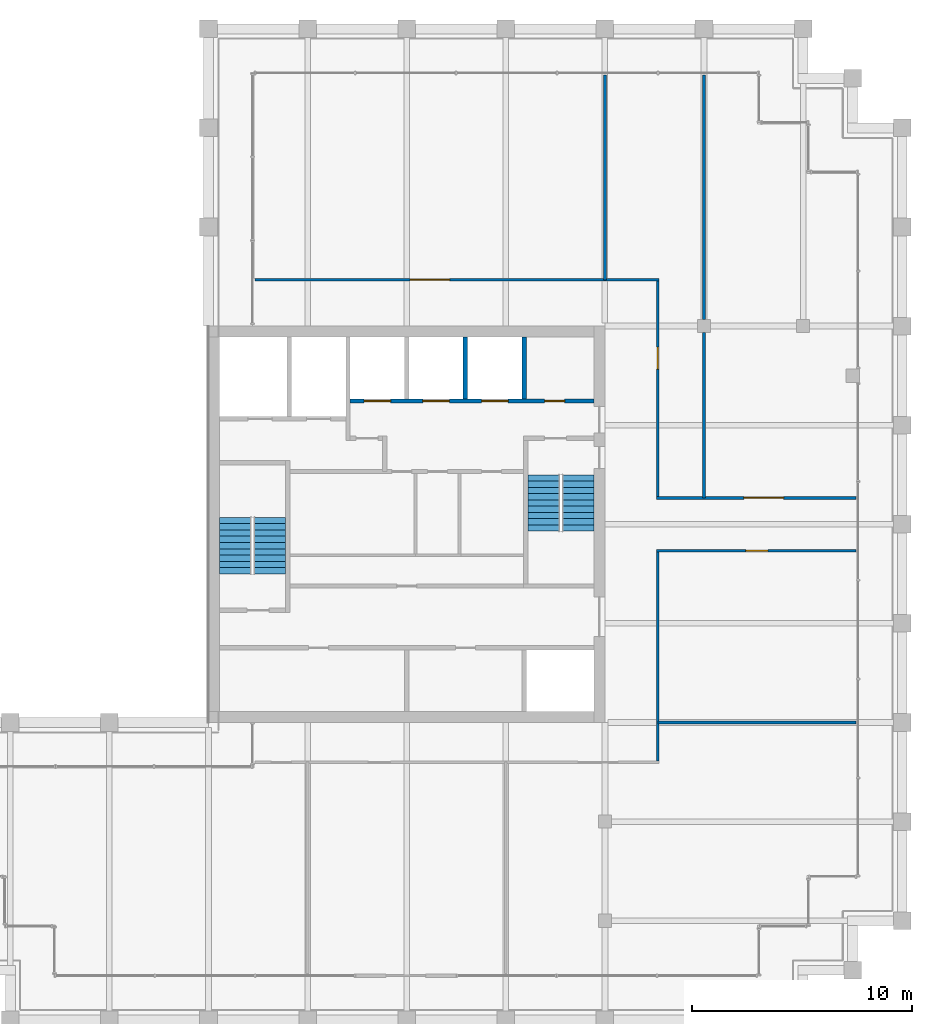
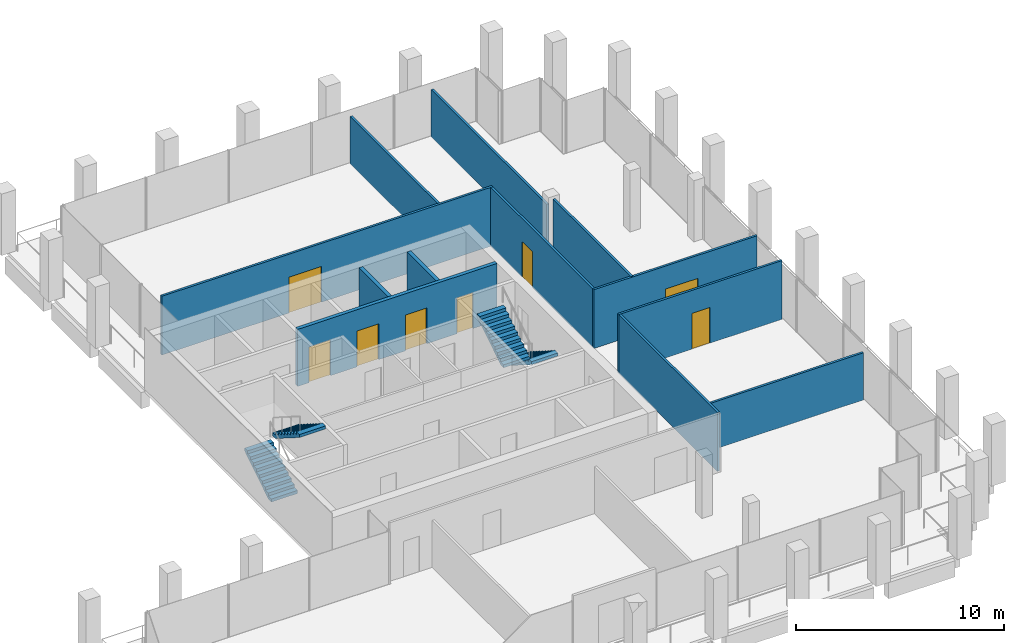
# One storey, part 29 of 30: 12 walls, 8 doors, 4 stair flights, 8 openings, 2 elements without a shape of their own.
"""IFC4 building model written with IfcOpenShell, lengths in metres."""

import ifcopenshell
import ifcopenshell.guid

model = None  # the IFC model being written
_history = None  # IfcOwnerHistory: only IFC2X3 demands one
_inside = {}  # id of a spatial element -> (the spatial element, [elements in it])
_under = {}  # id of a project, library or spatial element -> (it, [spatial elements below it])
_declared = {}  # id of a project -> (the project, [libraries it declares])
_typed = {}  # id of a type object -> (the type object, [elements of that type])
_made_of = {}  # id of a material, layer set ... -> (it, [elements and type objects made of it])


def new_model(schema):
    """Start an empty IFC model of exactly this schema.

    Asked for "IFC4X3", IfcOpenShell would pick the latest addendum, in which some entities
    have other attributes; the version numbers below select the first issue.
    IFC2X3 requires an IfcOwnerHistory on every rooted entity: one is made here for all.
    """
    global model, _history
    if schema == "IFC4X3":
        model = ifcopenshell.file(schema_version=(4, 3, 0, 0))
    else:
        model = ifcopenshell.file(schema=schema)
    _inside.clear()
    _under.clear()
    _declared.clear()
    _typed.clear()
    _made_of.clear()
    _history = None
    if model.schema == "IFC2X3":
        org = make("IfcOrganization", Name="unknown")
        user = make(
            "IfcPersonAndOrganization",
            ThePerson=make("IfcPerson", FamilyName="unknown"),
            TheOrganization=org,
        )
        app = make(
            "IfcApplication",
            ApplicationDeveloper=org,
            Version="unknown",
            ApplicationFullName="unknown",
            ApplicationIdentifier="unknown",
        )
        _history = make(
            "IfcOwnerHistory",
            OwningUser=user,
            OwningApplication=app,
            ChangeAction="ADDED",
            CreationDate=0,
        )
    return model


def make(cls, **values):
    """One entity of the class cls with the attributes given. An attribute that is None is left unset."""
    return model.create_entity(
        cls, **{name: value for name, value in values.items() if value is not None}
    )


def rooted(cls, **values):
    """An entity with a GlobalId (a new one), such as an element, a storey or a relation."""
    return make(cls, GlobalId=ifcopenshell.guid.new(), OwnerHistory=_history, **values)


def si_unit(unit_type, name, prefix=None):
    """IfcSIUnit, for example si_unit("LENGTHUNIT", "METRE", prefix="MILLI")."""
    return make("IfcSIUnit", UnitType=unit_type, Prefix=prefix, Name=name)


def assignment(units):
    """IfcUnitAssignment: the units of a project."""
    return None if units is None else make("IfcUnitAssignment", Units=units)


def point(xyz):
    """IfcCartesianPoint."""
    return None if xyz is None else make("IfcCartesianPoint", Coordinates=xyz)


def direction(xyz):
    """IfcDirection."""
    return None if xyz is None else make("IfcDirection", DirectionRatios=xyz)


def frame(location, z_axis=None, x_axis=None):
    """IfcAxis2Placement3D, a coordinate frame: its origin and axes. An axis left out is left unset."""
    return make(
        "IfcAxis2Placement3D",
        Location=point(location),
        Axis=direction(z_axis),
        RefDirection=direction(x_axis),
    )


def frame_2d(location, x_axis=None):
    """IfcAxis2Placement2D, a coordinate frame in the plane: its origin and x axis."""
    return make(
        "IfcAxis2Placement2D", Location=point(location), RefDirection=direction(x_axis)
    )


def origin():
    """The frame at (0, 0, 0) with its axes left unset."""
    return frame((0.0, 0.0, 0.0))


def place(relative_to, where):
    """IfcLocalPlacement: puts the frame where relative to a parent placement (None: the world)."""
    return make(
        "IfcLocalPlacement", PlacementRelTo=relative_to, RelativePlacement=where
    )


def context(
    kind, dimensions, precision=None, world=None, true_north=None, identifier=None
):
    """IfcGeometricRepresentationContext, for example the 3D "Model" context."""
    return make(
        "IfcGeometricRepresentationContext",
        ContextIdentifier=identifier,
        ContextType=kind,
        CoordinateSpaceDimension=dimensions,
        Precision=precision,
        WorldCoordinateSystem=world,
        TrueNorth=true_north,
    )


def subcontext(parent, identifier, kind, view, scale=None):
    """IfcGeometricRepresentationSubContext, for example "Body" below "Model"."""
    return make(
        "IfcGeometricRepresentationSubContext",
        ContextIdentifier=identifier,
        ContextType=kind,
        ParentContext=parent,
        TargetScale=scale,
        TargetView=view,
    )


def project(units=None, contexts=None):
    """IfcProject with its units and contexts."""
    return rooted(
        "IfcProject",
        Name="project",
        RepresentationContexts=contexts,
        UnitsInContext=assignment(units),
    )


def spatial(cls, under=None, at=None, **own):
    """A site, building, storey or space (cls), placed at a placement, below another one or the project."""
    s = rooted(cls, ObjectPlacement=at, **own)
    if under is not None:
        _under.setdefault(under.id(), (under, []))[1].append(s)
    return s


def polyline(points):
    """IfcPolyline through the points."""
    return make("IfcPolyline", Points=[point(p) for p in points])


def profile(cls, at=None, kind="AREA", **sizes):
    """A parametric profile (cls). Its sizes go by their IFC names, for example OverallWidth=200.0."""
    return make(cls, ProfileType=kind, Position=at, **sizes)


def rectangle(**sizes):
    """IfcRectangleProfileDef."""
    return profile("IfcRectangleProfileDef", **sizes)


def outline(outer, holes=None, kind="AREA"):
    """IfcArbitraryClosedProfileDef: a profile drawn as a closed curve; with holes, ...WithVoids."""
    if holes is None:
        return make("IfcArbitraryClosedProfileDef", ProfileType=kind, OuterCurve=outer)
    return make(
        "IfcArbitraryProfileDefWithVoids",
        ProfileType=kind,
        OuterCurve=outer,
        InnerCurves=holes,
    )


def extrude(swept, where, along, depth):
    """IfcExtrudedAreaSolid: the profile swept, set in the frame where, extruded along a direction by depth."""
    return make(
        "IfcExtrudedAreaSolid",
        SweptArea=swept,
        Position=where,
        ExtrudedDirection=direction(along),
        Depth=depth,
    )


def shape(context_of_items, identifier, shape_type, items):
    """IfcShapeRepresentation: the items that make up one representation, for example the "Body"."""
    return make(
        "IfcShapeRepresentation",
        ContextOfItems=context_of_items,
        RepresentationIdentifier=identifier,
        RepresentationType=shape_type,
        Items=items,
    )


def material(Name=None, Category=None):
    """IfcMaterial."""
    return make("IfcMaterial", Name=Name, Category=Category)


def layer(
    of_material, thickness, ventilated=None, Name=None, Category=None, Priority=None
):
    """IfcMaterialLayer: one layer of a wall or slab, of a material (None: an air gap)."""
    return make(
        "IfcMaterialLayer",
        Material=of_material,
        LayerThickness=thickness,
        IsVentilated=ventilated,
        Name=Name,
        Category=Category,
        Priority=Priority,
    )


def layer_set(layers, Name=None):
    """IfcMaterialLayerSet."""
    return make("IfcMaterialLayerSet", MaterialLayers=layers, LayerSetName=Name)


def made_of(thing, what):
    """Note that an element or type object is made of a material, layer set ...; save() writes the relation."""
    if what is not None:
        _made_of.setdefault(what.id(), (what, []))[1].append(thing)
    return thing


def type_object(cls, material=None, **own):
    """A type object (cls), such as IfcWallType, which elements share."""
    return made_of(rooted(cls, **own), material)


def element(
    cls,
    number,
    at=None,
    inside=None,
    cuts=None,
    type_object=None,
    material=None,
    context=None,
    identifier="Body",
    shape_type=None,
    held_by="IfcProductDefinitionShape",
    body=None,
    shapes=None,
    **own,
):
    """One element of the class cls, such as IfcWall. Its Tag is "e" and its number.

    at: its placement. inside: the storey or other place that contains it. cuts: it is an
    opening in that element (IfcRelVoidsElement). A single representation is given by context,
    identifier, shape_type and body (its items); several are given by shapes. held_by: the class
    of the entity that holds the representations. save() writes the other relations.
    """
    e = rooted(cls, Tag="e%d" % number, ObjectPlacement=at, **own)
    if body is not None:
        shapes = [shape(context, identifier, shape_type, body)]
    if shapes is not None:
        e.Representation = make(held_by, Representations=shapes)
    if inside is not None:
        _inside.setdefault(inside.id(), (inside, []))[1].append(e)
    if cuts is not None:
        rooted(
            "IfcRelVoidsElement", RelatingBuildingElement=cuts, RelatedOpeningElement=e
        )
    if type_object is not None:
        _typed.setdefault(type_object.id(), (type_object, []))[1].append(e)
    return made_of(e, material)


def fill(opening, filler):
    """IfcRelFillsElement: the door or window that sits in an opening."""
    return rooted(
        "IfcRelFillsElement",
        RelatingOpeningElement=opening,
        RelatedBuildingElement=filler,
    )


def aggregate(whole, parts):
    """IfcRelAggregates: a whole, such as a stair, and the parts it consists of."""
    return rooted("IfcRelAggregates", RelatingObject=whole, RelatedObjects=parts)


def save(model, path):
    """Write the relations noted so far, then the file.

    IfcRelAggregates (storeys below a building ...), IfcRelContainedInSpatialStructure (elements
    in a storey), IfcRelDefinesByType, IfcRelAssociatesMaterial and IfcRelDeclares: one each for
    every whole, place, type object, material and project.
    """
    for whole, parts in _under.values():
        aggregate(whole, parts)
    for where, things in _inside.values():
        rooted(
            "IfcRelContainedInSpatialStructure",
            RelatedElements=things,
            RelatingStructure=where,
        )
    for kind, things in _typed.values():
        rooted("IfcRelDefinesByType", RelatedObjects=things, RelatingType=kind)
    for what, things in _made_of.values():
        rooted("IfcRelAssociatesMaterial", RelatedObjects=things, RelatingMaterial=what)
    for by, libraries in _declared.values():
        rooted("IfcRelDeclares", RelatingContext=by, RelatedDefinitions=libraries)
    model.write(path)


model = new_model("IFC4")

# Units and contexts
model_context = context("Model", 3, precision=1e-05, world=origin(), true_north=direction((0.0, 1.0)))
body_context = subcontext(model_context, "Body", "Model", "MODEL_VIEW")
ifc_project = project(units=[si_unit("LENGTHUNIT", "METRE"), si_unit("AREAUNIT", "SQUARE_METRE"), si_unit("VOLUMEUNIT", "CUBIC_METRE"), si_unit("PLANEANGLEUNIT", "RADIAN"), si_unit("MASSUNIT", "GRAM", prefix="KILO")], contexts=[model_context])

# Site, building, storey
site_placement = place(None, origin())
site = spatial("IfcSite", under=ifc_project, at=site_placement, CompositionType="ELEMENT")
building_placement = place(site_placement, origin())
building = spatial("IfcBuilding", under=site, at=building_placement, Name="Altepetl Exchange Towers", CompositionType="ELEMENT")
storey_placement = place(building_placement, frame((0.0, 0.0, 238.800048828125)))
storey = spatial("IfcBuildingStorey", under=building, at=storey_placement, Name="L61", CompositionType="ELEMENT", Elevation=238.800048828125)

# Wall
ifc_material_1 = material(Name="Gypsum board on steel studs", Category="steel")
ifc_layer_1 = layer(ifc_material_1, 0.125)
ifc_layer_set_1 = layer_set([ifc_layer_1], Name="Gypsum board on steel studs")
wall_type_1 = type_object("IfcWallType", Name="Partition 125 gypsum board on steel studs", PredefinedType="PARTITIONING", material=ifc_layer_set_1)
wall_1_placement = place(storey_placement, frame((60.89990234375, 40.5, 0.0)))
element("IfcWall", 1, at=wall_1_placement, inside=storey, type_object=wall_type_1, Name="wall:A:L61:P02", PredefinedType="PARTITIONING", context=body_context, shape_type="SweptSolid", body=[
    extrude(rectangle(XDim=9.0, YDim=0.125, at=frame_2d((4.5, 0.0))), origin(), (0.0, 0.0, 1.0), 2.77197265625),
])

# Wall, opening, door
wall_2_placement = place(storey_placement, frame((60.83740234375, 48.300048828125, 0.0)))
wall_2 = element("IfcWall", 2, at=wall_2_placement, inside=storey, type_object=wall_type_1, Name="wall:A:L61:P03", PredefinedType="PARTITIONING", context=body_context, shape_type="SweptSolid", body=[
    extrude(rectangle(XDim=9.0625, YDim=0.125, at=frame_2d((4.53125, 0.0))), origin(), (0.0, 0.0, 1.0), 3.449951171875),
])
opening_1_placement = place(wall_2_placement, frame((4.0625, 0.0, 0.0)))
opening_1 = element("IfcOpeningElement", 3, at=opening_1_placement, cuts=wall_2, Name="Opening L61.A04", PredefinedType="OPENING", context=body_context, shape_type="SweptSolid", body=[
    extrude(rectangle(XDim=1.0, YDim=2.10009765625, at=frame_2d((0.5, 1.050048828125))), frame((0.0, 0.072509765625, 0.0), z_axis=(0.0, -1.0, 0.0), x_axis=(1.0, 0.0, 0.0)), (0.0, 0.0, 1.0), 0.14501953125),
])
ifc_material_2 = material(Name="Steel and timber fire door", Category="steel")
door_type_1 = type_object("IfcDoorType", Name="Fire door 1000 x 2100 single leaf", OperationType="SINGLE_SWING_LEFT", PredefinedType="DOOR", material=ifc_material_2)
door_1_placement = place(opening_1_placement, frame((1.0, 0.0, 0.0), x_axis=(-1.0, 0.0, 0.0)))
door_1 = element("IfcDoor", 4, at=door_1_placement, inside=storey, type_object=door_type_1, Name="door:A:L61:04", OperationType="SINGLE_SWING_RIGHT", OverallHeight=2.10009765625, OverallWidth=1.0, PredefinedType="DOOR", context=body_context, shape_type="SweptSolid", body=[
    extrude(rectangle(XDim=1.0, YDim=2.10009765625, at=frame_2d((0.5, 1.050048828125))), frame((0.0, 0.02490234375, 0.0), z_axis=(0.0, -1.0, 0.0), x_axis=(1.0, 0.0, 0.0)), (0.0, 0.0, 1.0), 0.050048828125),
])
fill(opening_1, door_1)

wall_3_placement = place(storey_placement, frame((60.83740234375, 50.699951171875, 0.0)))
wall_3 = element("IfcWall", 5, at=wall_3_placement, inside=storey, type_object=wall_type_1, Name="wall:A:L61:P04", PredefinedType="PARTITIONING", context=body_context, shape_type="SweptSolid", body=[
    extrude(rectangle(XDim=9.0625, YDim=0.125, at=frame_2d((4.53125, 0.0))), origin(), (0.0, 0.0, 1.0), 3.449951171875),
])
opening_2_placement = place(wall_3_placement, frame((3.9775390625, 0.0, 0.0)))
opening_2 = element("IfcOpeningElement", 6, at=opening_2_placement, cuts=wall_3, Name="Opening L61.A05", PredefinedType="OPENING", context=body_context, shape_type="SweptSolid", body=[
    extrude(rectangle(XDim=1.800048828125, YDim=2.10009765625, at=frame_2d((0.89990234375, 1.050048828125))), frame((0.0, 0.072509765625, 0.0), z_axis=(0.0, -1.0, 0.0), x_axis=(1.0, 0.0, 0.0)), (0.0, 0.0, 1.0), 0.14501953125),
])
door_type_2 = type_object("IfcDoorType", Name="Fire door 1800 x 2100 double leaf", OperationType="DOUBLE_DOOR_SINGLE_SWING", PredefinedType="DOOR", material=ifc_material_2)
door_2_placement = place(opening_2_placement, origin())
door_2 = element("IfcDoor", 7, at=door_2_placement, inside=storey, type_object=door_type_2, Name="door:A:L61:05", OperationType="DOUBLE_DOOR_SINGLE_SWING", OverallHeight=2.10009765625, OverallWidth=1.800048828125, PredefinedType="DOOR", context=body_context, shape_type="SweptSolid", body=[
    extrude(rectangle(XDim=1.800048828125, YDim=2.10009765625, at=frame_2d((0.89990234375, 1.050048828125))), frame((0.0, 0.02490234375, 0.0), z_axis=(0.0, -1.0, 0.0), x_axis=(1.0, 0.0, 0.0)), (0.0, 0.0, 1.0), 0.050048828125),
])
fill(opening_2, door_2)

wall_4_placement = place(storey_placement, frame((42.60009765625, 60.60009765625, 0.0)))
wall_4 = element("IfcWall", 8, at=wall_4_placement, inside=storey, type_object=wall_type_1, Name="wall:A:L61:P05", PredefinedType="PARTITIONING", context=body_context, shape_type="SweptSolid", body=[
    extrude(rectangle(XDim=18.3623046875, YDim=0.125, at=frame_2d((9.18115234375, 0.0))), origin(), (0.0, 0.0, 1.0), 3.449951171875),
])
opening_3_placement = place(wall_4_placement, frame((7.050048828125, 0.0, 0.0)))
opening_3 = element("IfcOpeningElement", 9, at=opening_3_placement, cuts=wall_4, Name="Opening L61.A07", PredefinedType="OPENING", context=body_context, shape_type="SweptSolid", body=[
    extrude(rectangle(XDim=1.800048828125, YDim=2.10009765625, at=frame_2d((0.89990234375, 1.050048828125))), frame((0.0, 0.072509765625, 0.0), z_axis=(0.0, -1.0, 0.0), x_axis=(1.0, 0.0, 0.0)), (0.0, 0.0, 1.0), 0.14501953125),
])
door_3_placement = place(opening_3_placement, origin())
door_3 = element("IfcDoor", 10, at=door_3_placement, inside=storey, type_object=door_type_2, Name="door:A:L61:07", OperationType="DOUBLE_DOOR_SINGLE_SWING", OverallHeight=2.10009765625, OverallWidth=1.800048828125, PredefinedType="DOOR", context=body_context, shape_type="SweptSolid", body=[
    extrude(rectangle(XDim=1.800048828125, YDim=2.10009765625, at=frame_2d((0.89990234375, 1.050048828125))), frame((0.0, 0.02490234375, 0.0), z_axis=(0.0, -1.0, 0.0), x_axis=(1.0, 0.0, 0.0)), (0.0, 0.0, 1.0), 0.050048828125),
])
fill(opening_3, door_3)

# Walls
wall_5_placement = place(storey_placement, frame((58.5, 60.60009765625, 0.0), z_axis=(0.0, 0.0, 1.0), x_axis=(0.0, 1.0, 0.0)))
element("IfcWall", 11, at=wall_5_placement, inside=storey, type_object=wall_type_1, Name="wall:A:L61:P08", PredefinedType="PARTITIONING", context=body_context, shape_type="SweptSolid", body=[
    extrude(rectangle(XDim=9.2998046875, YDim=0.125, at=frame_2d((4.64990234375, 0.0))), origin(), (0.0, 0.0, 1.0), 2.77197265625),
])
wall_6_placement = place(storey_placement, frame((60.89990234375, 38.762451171875, 0.0), z_axis=(0.0, 0.0, 1.0), x_axis=(0.0, 1.0, 0.0)))
element("IfcWall", 12, at=wall_6_placement, inside=storey, type_object=wall_type_1, Name="wall:A:L61:P09", PredefinedType="PARTITIONING", context=body_context, shape_type="SweptSolid", body=[
    extrude(rectangle(XDim=9.47509765625, YDim=0.125, at=frame_2d((4.737548828125, 0.0))), origin(), (0.0, 0.0, 1.0), 3.449951171875),
])

# Wall, opening, door
wall_7_placement = place(storey_placement, frame((60.89990234375, 50.762451171875, 0.0), z_axis=(0.0, 0.0, 1.0), x_axis=(0.0, 1.0, 0.0)))
wall_7 = element("IfcWall", 13, at=wall_7_placement, inside=storey, type_object=wall_type_1, Name="wall:A:L61:P10", PredefinedType="PARTITIONING", context=body_context, shape_type="SweptSolid", body=[
    extrude(rectangle(XDim=9.775146484375, YDim=0.125, at=frame_2d((4.8876953125, 0.0))), origin(), (0.0, 0.0, 1.0), 3.449951171875),
])
opening_4_placement = place(wall_7_placement, frame((5.78759765625, 0.0, 0.0)))
opening_4 = element("IfcOpeningElement", 14, at=opening_4_placement, cuts=wall_7, Name="Opening L61.A06", PredefinedType="OPENING", context=body_context, shape_type="SweptSolid", body=[
    extrude(rectangle(XDim=1.0, YDim=2.10009765625, at=frame_2d((0.5, 1.050048828125))), frame((0.0, 0.072509765625, 0.0), z_axis=(0.0, -1.0, 0.0), x_axis=(1.0, 0.0, 0.0)), (0.0, 0.0, 1.0), 0.14501953125),
])
door_4_placement = place(opening_4_placement, frame((1.0, 0.0, 0.0), x_axis=(-1.0, 0.0, 0.0)))
door_4 = element("IfcDoor", 15, at=door_4_placement, inside=storey, type_object=door_type_1, Name="door:A:L61:06", OperationType="SINGLE_SWING_LEFT", OverallHeight=2.10009765625, OverallWidth=1.0, PredefinedType="DOOR", context=body_context, shape_type="SweptSolid", body=[
    extrude(rectangle(XDim=1.0, YDim=2.10009765625, at=frame_2d((0.5, 1.050048828125))), frame((0.0, 0.02490234375, 0.0), z_axis=(0.0, -1.0, 0.0), x_axis=(1.0, 0.0, 0.0)), (0.0, 0.0, 1.0), 0.050048828125),
])
fill(opening_4, door_4)

# Walls
wall_8_placement = place(storey_placement, frame((63.0, 50.699951171875, 0.0), z_axis=(0.0, 0.0, 1.0), x_axis=(0.0, 1.0, 0.0)))
element("IfcWall", 16, at=wall_8_placement, inside=storey, type_object=wall_type_1, Name="wall:A:L61:P11", PredefinedType="PARTITIONING", context=body_context, shape_type="SweptSolid", body=[
    extrude(rectangle(XDim=7.5, YDim=0.125, at=frame_2d((3.75, 0.0))), origin(), (0.0, 0.0, 1.0), 3.449951171875),
])
wall_9_placement = place(storey_placement, frame((63.0, 58.800048828125, 0.0), z_axis=(0.0, 0.0, 1.0), x_axis=(0.0, 1.0, 0.0)))
element("IfcWall", 17, at=wall_9_placement, inside=storey, type_object=wall_type_1, Name="wall:A:L61:P12", PredefinedType="PARTITIONING", context=body_context, shape_type="SweptSolid", body=[
    extrude(rectangle(XDim=11.099853515625, YDim=0.125, at=frame_2d((5.5498046875, 0.0))), origin(), (0.0, 0.0, 1.0), 2.77197265625),
])
ifc_material_3 = material(Name="Concrete C40/50", Category="concrete")
ifc_layer_2 = layer(ifc_material_3, 0.199951171875)
ifc_layer_set_2 = layer_set([ifc_layer_2], Name="Concrete C40/50")
wall_type_2 = type_object("IfcWallType", Name="Shaft wall 200 reinforced concrete", PredefinedType="SHEAR", material=ifc_layer_set_2)
for number, where, z_axis, x_axis, name in (
    (18, (52.166748046875, 58.0, 0.0), (0.0, 0.0, 1.0), (0.0, -1.0, 0.0), "wall:A:L61:K-divN4"),
    (19, (54.833251953125, 58.0, 0.0), (0.0, 0.0, 1.0), (0.0, -1.0, 0.0), "wall:A:L61:K-divN5"),
):
    element("IfcWall", number, at=place(storey_placement, frame(where, z_axis=z_axis, x_axis=x_axis)), inside=storey, type_object=wall_type_2, Name=name, PredefinedType="SHEAR", context=body_context, shape_type="SweptSolid", body=[
        extrude(rectangle(XDim=2.800048828125, YDim=0.199951171875, at=frame_2d((1.39990234375, 0.0))), origin(), (0.0, 0.0, 1.0), 3.349853515625),
    ])

# Wall, openings, doors
wall_10_placement = place(storey_placement, frame((46.933349609375, 55.10009765625, 0.0)))
wall_10 = element("IfcWall", 20, at=wall_10_placement, inside=storey, type_object=wall_type_2, Name="wall:A:L61:K-frontNb", PredefinedType="SHEAR", context=body_context, shape_type="SweptSolid", body=[
    extrude(rectangle(XDim=11.066650390625, YDim=0.199951171875, at=frame_2d((5.533203125, 0.0))), origin(), (0.0, 0.0, 1.0), 3.349853515625),
])
opening_5_placement = place(wall_10_placement, frame((8.83349609375, 0.0, 0.0)))
opening_5 = element("IfcOpeningElement", 21, at=opening_5_placement, cuts=wall_10, Name="Opening L61.A66", PredefinedType="OPENING", context=body_context, shape_type="SweptSolid", body=[
    extrude(rectangle(XDim=0.89990234375, YDim=2.10009765625, at=frame_2d((0.449951171875, 1.050048828125))), frame((0.0, 0.10986328125, 0.0), z_axis=(0.0, -1.0, 0.0), x_axis=(1.0, 0.0, 0.0)), (0.0, 0.0, 1.0), 0.219970703125),
])
opening_6_placement = place(wall_10_placement, frame((0.63330078125, 0.0, 0.0)))
opening_6 = element("IfcOpeningElement", 22, at=opening_6_placement, cuts=wall_10, Name="Opening L61.A75", PredefinedType="OPENING", context=body_context, shape_type="SweptSolid", body=[
    extrude(rectangle(XDim=1.199951171875, YDim=2.10009765625, at=frame_2d((0.60009765625, 1.050048828125))), frame((0.0, 0.10986328125, 0.0), z_axis=(0.0, -1.0, 0.0), x_axis=(1.0, 0.0, 0.0)), (0.0, 0.0, 1.0), 0.219970703125),
])
opening_7_placement = place(wall_10_placement, frame((3.300048828125, 0.0, 0.0)))
opening_7 = element("IfcOpeningElement", 23, at=opening_7_placement, cuts=wall_10, Name="Opening L61.A76", PredefinedType="OPENING", context=body_context, shape_type="SweptSolid", body=[
    extrude(rectangle(XDim=1.199951171875, YDim=2.10009765625, at=frame_2d((0.60009765625, 1.050048828125))), frame((0.0, 0.10986328125, 0.0), z_axis=(0.0, -1.0, 0.0), x_axis=(1.0, 0.0, 0.0)), (0.0, 0.0, 1.0), 0.219970703125),
])
opening_8_placement = place(wall_10_placement, frame((5.966796875, 0.0, 0.0)))
opening_8 = element("IfcOpeningElement", 24, at=opening_8_placement, cuts=wall_10, Name="Opening L61.A77", PredefinedType="OPENING", context=body_context, shape_type="SweptSolid", body=[
    extrude(rectangle(XDim=1.199951171875, YDim=2.10009765625, at=frame_2d((0.60009765625, 1.050048828125))), frame((0.0, 0.10986328125, 0.0), z_axis=(0.0, -1.0, 0.0), x_axis=(1.0, 0.0, 0.0)), (0.0, 0.0, 1.0), 0.219970703125),
])
door_type_3 = type_object("IfcDoorType", Name="Fire door 900 x 2100 service room", OperationType="SINGLE_SWING_LEFT", PredefinedType="DOOR", material=ifc_material_2)
door_5_placement = place(opening_5_placement, origin())
door_5 = element("IfcDoor", 25, at=door_5_placement, inside=storey, type_object=door_type_3, Name="door:A:L61:K-driser", OperationType="SINGLE_SWING_RIGHT", OverallHeight=2.10009765625, OverallWidth=0.89990234375, PredefinedType="DOOR", context=body_context, shape_type="SweptSolid", body=[
    extrude(rectangle(XDim=0.89990234375, YDim=2.10009765625, at=frame_2d((0.449951171875, 1.050048828125))), frame((0.0, 0.02490234375, 0.0), z_axis=(0.0, -1.0, 0.0), x_axis=(1.0, 0.0, 0.0)), (0.0, 0.0, 1.0), 0.050048828125),
])
fill(opening_5, door_5)
ifc_material_4 = material(Name="Stainless steel", Category="steel")
door_type_4 = type_object("IfcDoorType", Name="Lift landing door 1200 x 2100", OperationType="SLIDING_TO_LEFT", PredefinedType="DOOR", material=ifc_material_4)
door_6_placement = place(opening_6_placement, origin())
door_6 = element("IfcDoor", 26, at=door_6_placement, inside=storey, type_object=door_type_4, Name="Landing door P5", OperationType="SLIDING_TO_LEFT", OverallHeight=2.10009765625, OverallWidth=1.199951171875, PredefinedType="DOOR", context=body_context, shape_type="SweptSolid", body=[
    extrude(rectangle(XDim=1.199951171875, YDim=2.10009765625, at=frame_2d((0.60009765625, 1.050048828125))), frame((0.0, 0.02490234375, 0.0), z_axis=(0.0, -1.0, 0.0), x_axis=(1.0, 0.0, 0.0)), (0.0, 0.0, 1.0), 0.050048828125),
])
fill(opening_6, door_6)
door_7_placement = place(opening_7_placement, origin())
door_7 = element("IfcDoor", 27, at=door_7_placement, inside=storey, type_object=door_type_4, Name="Landing door P6", OperationType="SLIDING_TO_LEFT", OverallHeight=2.10009765625, OverallWidth=1.199951171875, PredefinedType="DOOR", context=body_context, shape_type="SweptSolid", body=[
    extrude(rectangle(XDim=1.199951171875, YDim=2.10009765625, at=frame_2d((0.60009765625, 1.050048828125))), frame((0.0, 0.02490234375, 0.0), z_axis=(0.0, -1.0, 0.0), x_axis=(1.0, 0.0, 0.0)), (0.0, 0.0, 1.0), 0.050048828125),
])
fill(opening_7, door_7)
door_8_placement = place(opening_8_placement, origin())
door_8 = element("IfcDoor", 28, at=door_8_placement, inside=storey, type_object=door_type_4, Name="Landing door P7", OperationType="SLIDING_TO_LEFT", OverallHeight=2.10009765625, OverallWidth=1.199951171875, PredefinedType="DOOR", context=body_context, shape_type="SweptSolid", body=[
    extrude(rectangle(XDim=1.199951171875, YDim=2.10009765625, at=frame_2d((0.60009765625, 1.050048828125))), frame((0.0, 0.02490234375, 0.0), z_axis=(0.0, -1.0, 0.0), x_axis=(1.0, 0.0, 0.0)), (0.0, 0.0, 1.0), 0.050048828125),
])
fill(opening_8, door_8)

# Stair, stair flights
stair_type = type_object("IfcStairType", Name="Exit stair 1450 flights dogleg", PredefinedType="HALF_TURN_STAIR", material=ifc_material_3)
stair_1_placement = place(storey_placement, origin())
stair_1 = element("IfcStair", 29, at=stair_1_placement, inside=storey, type_object=stair_type, Name="Exit stair 1", PredefinedType="HALF_TURN_STAIR")
stair_flight_type = type_object("IfcStairFlightType", Name="Stair flight 1450 wide", PredefinedType="STRAIGHT", material=ifc_material_3)
stair_flight_1_placement = place(storey_placement, frame((41.72509765625, 47.25, 0.0), z_axis=(0.0, 0.0, 1.0), x_axis=(0.0, 1.0, 0.0)))
stair_flight_1 = element("IfcStairFlight", 30, at=stair_flight_1_placement, type_object=stair_flight_type, Name="ST-A1f flight 1", NumberOfRisers=10, NumberOfTreads=9, PredefinedType="STRAIGHT", RiserHeight=0.18, TreadLength=0.285, context=body_context, shape_type="SweptSolid", body=[
    extrude(outline(polyline([(0.0, 0.0), (0.0, 0.179931640625), (0.284912109375, 0.179931640625), (0.284912109375, 0.360107421875), (0.570068359375, 0.360107421875), (0.570068359375, 0.5400390625), (0.85498046875, 0.5400390625), (0.85498046875, 0.719970703125), (1.139892578125, 0.719970703125), (1.139892578125, 0.89990234375), (1.425048828125, 0.89990234375), (1.425048828125, 1.080078125), (1.7099609375, 1.080078125), (1.7099609375, 1.260009765625), (1.9951171875, 1.260009765625), (1.9951171875, 1.43994140625), (2.280029296875, 1.43994140625), (2.280029296875, 1.6201171875), (2.56494140625, 1.6201171875), (2.56494140625, 1.800048828125), (2.56494140625, 1.442626953125), (0.28076171875, 0.0), (0.0, 0.0)])), frame((0.0, 0.72509765625, 0.0), z_axis=(0.0, -1.0, 0.0), x_axis=(1.0, 0.0, 0.0)), (0.0, 0.0, 1.0), 1.449951171875),
])
stair_flight_2_placement = place(storey_placement, frame((43.27490234375, 49.81494140625, 1.800048828125), z_axis=(0.0, 0.0, 1.0), x_axis=(0.0, -1.0, 0.0)))
stair_flight_2 = element("IfcStairFlight", 31, at=stair_flight_2_placement, type_object=stair_flight_type, Name="ST-A1f flight 2", NumberOfRisers=10, NumberOfTreads=9, PredefinedType="STRAIGHT", RiserHeight=0.18, TreadLength=0.285, context=body_context, shape_type="SweptSolid", body=[
    extrude(outline(polyline([(0.0, 0.0), (0.0, 0.179931640625), (0.284912109375, 0.179931640625), (0.284912109375, 0.360107421875), (0.570068359375, 0.360107421875), (0.570068359375, 0.5400390625), (0.85498046875, 0.5400390625), (0.85498046875, 0.719970703125), (1.139892578125, 0.719970703125), (1.139892578125, 0.89990234375), (1.425048828125, 0.89990234375), (1.425048828125, 1.080078125), (1.7099609375, 1.080078125), (1.7099609375, 1.260009765625), (1.9951171875, 1.260009765625), (1.9951171875, 1.43994140625), (2.280029296875, 1.43994140625), (2.280029296875, 1.6201171875), (2.56494140625, 1.6201171875), (2.56494140625, 1.800048828125), (2.56494140625, 1.442626953125), (0.28076171875, 0.0), (0.0, 0.0)])), frame((0.0, 0.72509765625, 0.0), z_axis=(0.0, -1.0, 0.0), x_axis=(1.0, 0.0, 0.0)), (0.0, 0.0, 1.0), 1.449951171875),
])
aggregate(stair_1, [stair_flight_1, stair_flight_2])

stair_2_placement = place(storey_placement, origin())
stair_2 = element("IfcStair", 32, at=stair_2_placement, inside=storey, type_object=stair_type, Name="Exit stair 2", PredefinedType="HALF_TURN_STAIR")
stair_flight_3_placement = place(storey_placement, frame((57.27490234375, 51.75, 0.0), z_axis=(0.0, 0.0, 1.0), x_axis=(0.0, -1.0, 0.0)))
stair_flight_3 = element("IfcStairFlight", 33, at=stair_flight_3_placement, type_object=stair_flight_type, Name="ST-A2f flight 1", NumberOfRisers=10, NumberOfTreads=9, PredefinedType="STRAIGHT", RiserHeight=0.18, TreadLength=0.285, context=body_context, shape_type="SweptSolid", body=[
    extrude(outline(polyline([(0.0, 0.0), (0.0, 0.179931640625), (0.284912109375, 0.179931640625), (0.284912109375, 0.360107421875), (0.570068359375, 0.360107421875), (0.570068359375, 0.5400390625), (0.85498046875, 0.5400390625), (0.85498046875, 0.719970703125), (1.139892578125, 0.719970703125), (1.139892578125, 0.89990234375), (1.425048828125, 0.89990234375), (1.425048828125, 1.080078125), (1.7099609375, 1.080078125), (1.7099609375, 1.260009765625), (1.9951171875, 1.260009765625), (1.9951171875, 1.43994140625), (2.280029296875, 1.43994140625), (2.280029296875, 1.6201171875), (2.56494140625, 1.6201171875), (2.56494140625, 1.800048828125), (2.56494140625, 1.442626953125), (0.28076171875, 0.0), (0.0, 0.0)])), frame((0.0, 0.72509765625, 0.0), z_axis=(0.0, -1.0, 0.0), x_axis=(1.0, 0.0, 0.0)), (0.0, 0.0, 1.0), 1.449951171875),
])
stair_flight_4_placement = place(storey_placement, frame((55.72509765625, 49.18505859375, 1.800048828125), z_axis=(0.0, 0.0, 1.0), x_axis=(0.0, 1.0, 0.0)))
stair_flight_4 = element("IfcStairFlight", 34, at=stair_flight_4_placement, type_object=stair_flight_type, Name="ST-A2f flight 2", NumberOfRisers=10, NumberOfTreads=9, PredefinedType="STRAIGHT", RiserHeight=0.18, TreadLength=0.285, context=body_context, shape_type="SweptSolid", body=[
    extrude(outline(polyline([(0.0, 0.0), (0.0, 0.179931640625), (0.284912109375, 0.179931640625), (0.284912109375, 0.360107421875), (0.570068359375, 0.360107421875), (0.570068359375, 0.5400390625), (0.85498046875, 0.5400390625), (0.85498046875, 0.719970703125), (1.139892578125, 0.719970703125), (1.139892578125, 0.89990234375), (1.425048828125, 0.89990234375), (1.425048828125, 1.080078125), (1.7099609375, 1.080078125), (1.7099609375, 1.260009765625), (1.9951171875, 1.260009765625), (1.9951171875, 1.43994140625), (2.280029296875, 1.43994140625), (2.280029296875, 1.6201171875), (2.56494140625, 1.6201171875), (2.56494140625, 1.800048828125), (2.56494140625, 1.442626953125), (0.28076171875, 0.0), (0.0, 0.0)])), frame((0.0, 0.72509765625, 0.0), z_axis=(0.0, -1.0, 0.0), x_axis=(1.0, 0.0, 0.0)), (0.0, 0.0, 1.0), 1.449951171875),
])
aggregate(stair_2, [stair_flight_3, stair_flight_4])

save(model, "model.ifc")
